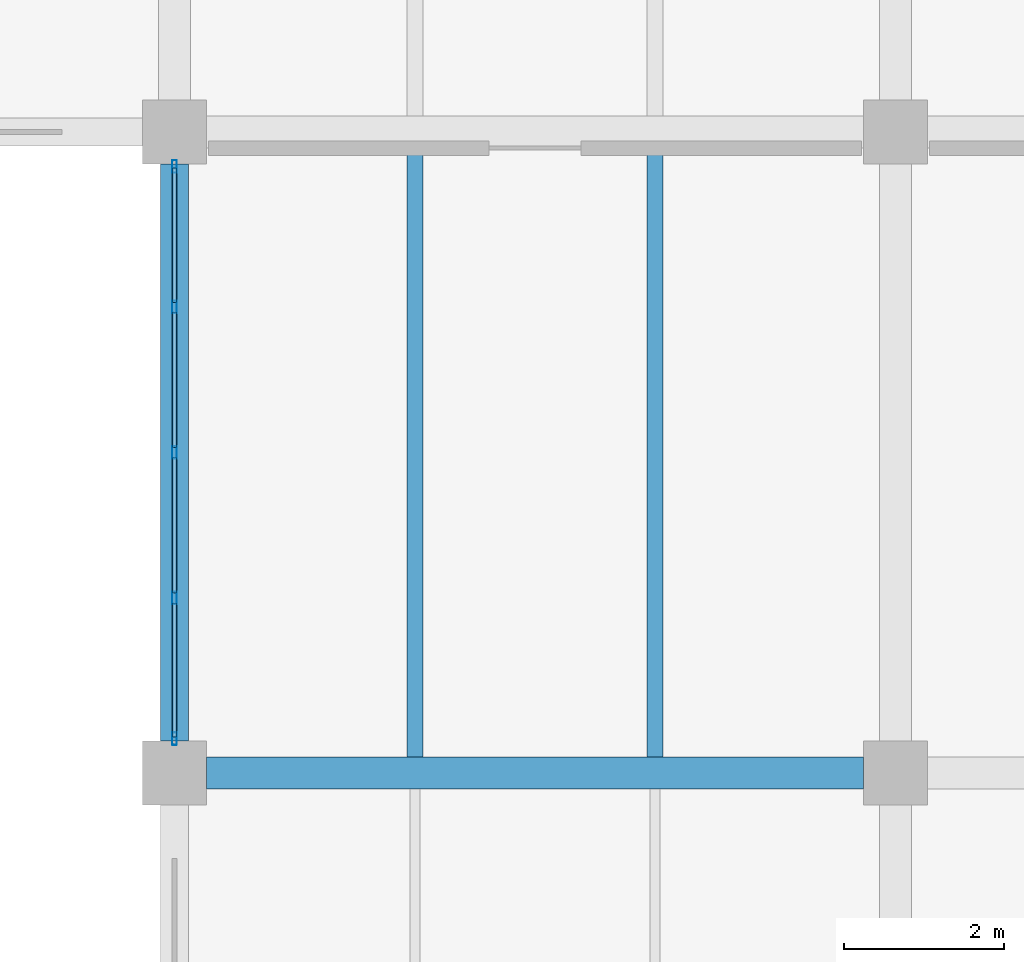
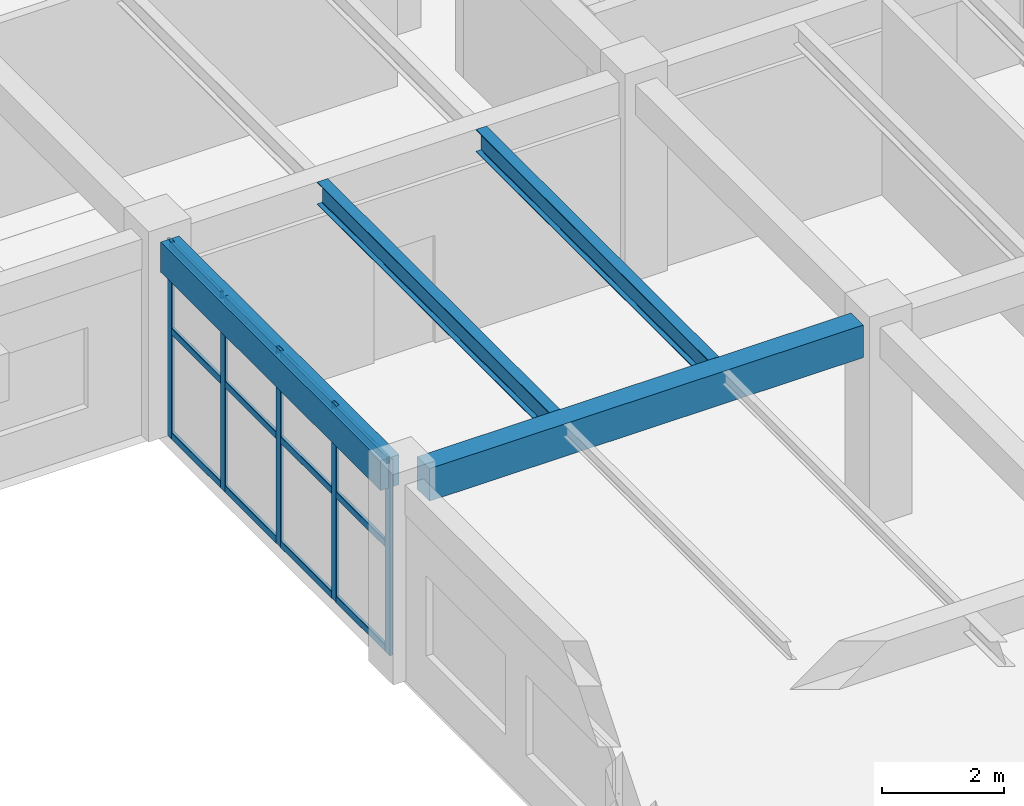
# One storey, part 104 of 148: 17 members, 4 beams, 1 element without a shape of its own.
"""IFC4 building model written with IfcOpenShell, lengths in metres."""

from ifc_helpers import new_model, si_unit, derived_unit, direction, frame, origin, origin_2d, place, context, subcontext, project, spatial, rectangle, hollow_rectangle, i_section, extrude, material, material_profile, profile_set, type_object, element, aggregate, save


model = new_model("IFC4")

# Units and contexts
model_context = context("Model", 3, precision=1e-05, world=origin(), true_north=direction((0.0, 1.0)))
body_context = subcontext(model_context, "Body", "Model", "MODEL_VIEW")
ifc_project = project(units=[si_unit("LENGTHUNIT", "METRE"), si_unit("AREAUNIT", "SQUARE_METRE"), si_unit("VOLUMEUNIT", "CUBIC_METRE"), si_unit("PLANEANGLEUNIT", "RADIAN"), si_unit("MASSUNIT", "GRAM", prefix="KILO"), derived_unit("THERMALTRANSMITTANCEUNIT", [(si_unit("MASSUNIT", "GRAM", prefix="KILO"), 1), (si_unit("TIMEUNIT", "SECOND"), -3), (si_unit("THERMODYNAMICTEMPERATUREUNIT", "KELVIN"), -1)])], contexts=[model_context])

# Site, building, storey
site_placement = place(None, origin())
site = spatial("IfcSite", under=ifc_project, at=site_placement, CompositionType="ELEMENT")
building_placement = place(site_placement, origin())
building = spatial("IfcBuilding", under=site, at=building_placement, Name="Zhenchuan Archway Interchange", CompositionType="ELEMENT")
storey_placement = place(building_placement, frame((0.0, 0.0, 10.199951171875)))
storey = spatial("IfcBuildingStorey", under=building, at=storey_placement, Name="L02", CompositionType="ELEMENT", Elevation=10.199951171875)

# Beam
ifc_material_1 = material(Name="Concrete C40", Category="concrete")
ifc_material_profile_1 = material_profile(ifc_material_1, rectangle(XDim=0.39990234375, YDim=0.64990234375, at=origin_2d()), Name="RC 400x650")
ifc_profile_set_1 = profile_set([ifc_material_profile_1], Name="Concrete C40")
beam_type_1 = type_object("IfcBeamType", Name="BM_RC_400x650", PredefinedType="BEAM", material=ifc_profile_set_1)
beam_1_placement = place(storey_placement, frame((144.39990234375, 80.0, 3.594970703125), z_axis=(1.0, 0.0, 0.0), x_axis=(0.0, 1.0, 0.0)))
element("IfcBeam", 1, at=beam_1_placement, inside=storey, type_object=beam_type_1, Name="Beam L:17-18 (L02)", PredefinedType="BEAM", context=body_context, shape_type="SweptSolid", body=[
    extrude(rectangle(XDim=0.39990234375, YDim=0.64990234375, at=origin_2d()), origin(), (0.0, 0.0, 1.0), 8.2001953125),
])

# Curtain wall, members
ifc_material_2 = material(Name="Anodised Aluminium", Category="aluminium")
curtain_wall_type = type_object("IfcCurtainWallType", Name="CW_UNIT_1", PredefinedType="NOTDEFINED", material=ifc_material_2)
curtain_wall_placement = place(storey_placement, origin())
curtain_wall = element("IfcCurtainWall", 2, at=curtain_wall_placement, inside=storey, type_object=curtain_wall_type, Name="Unitised curtain wall CW:L02:144", PredefinedType="NOTDEFINED")
ifc_material_profile_2 = material_profile(ifc_material_2, hollow_rectangle(XDim=0.06005859375, YDim=0.159912109375, WallThickness=0.00390625, InnerFilletRadius=0.00390625, OuterFilletRadius=0.008056640625, at=origin_2d()), Name="ALU 160x60x4")
ifc_profile_set_2 = profile_set([ifc_material_profile_2], Name="Anodised Aluminium")
member_type_1 = type_object("IfcMemberType", Name="CW_MUL_150", PredefinedType="MULLION", material=ifc_profile_set_2)
member_1_placement = place(storey_placement, frame((144.0, 80.427978515625, 0.0), z_axis=(0.0, 0.0, 1.0), x_axis=(1.0, 0.0, 0.0)))
member_1 = element("IfcMember", 3, at=member_1_placement, type_object=member_type_1, Name="CW:L02:144 mullion 0", PredefinedType="MULLION", context=body_context, shape_type="SweptSolid", body=[
    extrude(hollow_rectangle(XDim=0.06005859375, YDim=0.159912109375, WallThickness=0.00390625, InnerFilletRadius=0.00390625, OuterFilletRadius=0.008056640625, at=origin_2d()), origin(), (0.0, 0.0, 1.0), 3.920166015625),
])
member_2_placement = place(storey_placement, frame((144.0, 82.18408203125, 0.0), z_axis=(0.0, 0.0, 1.0), x_axis=(1.0, 0.0, 0.0)))
member_2 = element("IfcMember", 4, at=member_2_placement, type_object=member_type_1, Name="CW:L02:144 mullion 1", PredefinedType="MULLION", context=body_context, shape_type="SweptSolid", body=[
    extrude(hollow_rectangle(XDim=0.06005859375, YDim=0.159912109375, WallThickness=0.00390625, InnerFilletRadius=0.00390625, OuterFilletRadius=0.008056640625, at=origin_2d()), origin(), (0.0, 0.0, 1.0), 3.920166015625),
])
member_3_placement = place(storey_placement, frame((144.0, 84.0, 0.0), z_axis=(0.0, 0.0, 1.0), x_axis=(1.0, 0.0, 0.0)))
member_3 = element("IfcMember", 5, at=member_3_placement, type_object=member_type_1, Name="CW:L02:144 mullion 2", PredefinedType="MULLION", context=body_context, shape_type="SweptSolid", body=[
    extrude(hollow_rectangle(XDim=0.06005859375, YDim=0.159912109375, WallThickness=0.00390625, InnerFilletRadius=0.00390625, OuterFilletRadius=0.008056640625, at=origin_2d()), origin(), (0.0, 0.0, 1.0), 3.920166015625),
])
member_4_placement = place(storey_placement, frame((144.0, 85.81591796875, 0.0), z_axis=(0.0, 0.0, 1.0), x_axis=(1.0, 0.0, 0.0)))
member_4 = element("IfcMember", 6, at=member_4_placement, type_object=member_type_1, Name="CW:L02:144 mullion 3", PredefinedType="MULLION", context=body_context, shape_type="SweptSolid", body=[
    extrude(hollow_rectangle(XDim=0.06005859375, YDim=0.159912109375, WallThickness=0.00390625, InnerFilletRadius=0.00390625, OuterFilletRadius=0.008056640625, at=origin_2d()), origin(), (0.0, 0.0, 1.0), 3.920166015625),
])
member_5_placement = place(storey_placement, frame((144.0, 87.572021484375, 0.0), z_axis=(0.0, 0.0, 1.0), x_axis=(1.0, 0.0, 0.0)))
member_5 = element("IfcMember", 7, at=member_5_placement, type_object=member_type_1, Name="CW:L02:144 mullion 4", PredefinedType="MULLION", context=body_context, shape_type="SweptSolid", body=[
    extrude(hollow_rectangle(XDim=0.06005859375, YDim=0.159912109375, WallThickness=0.00390625, InnerFilletRadius=0.00390625, OuterFilletRadius=0.008056640625, at=origin_2d()), origin(), (0.0, 0.0, 1.0), 3.920166015625),
])
ifc_material_profile_3 = material_profile(ifc_material_2, hollow_rectangle(XDim=0.06005859375, YDim=0.139892578125, WallThickness=0.00341796875, InnerFilletRadius=0.00341796875, OuterFilletRadius=0.007080078125, at=origin_2d()), Name="ALU 140x60x3.5")
ifc_profile_set_3 = profile_set([ifc_material_profile_3], Name="Anodised Aluminium")
member_type_2 = type_object("IfcMemberType", Name="CW_TRN_140", PredefinedType="USERDEFINED", material=ifc_profile_set_3)
member_6_placement = place(storey_placement, frame((144.0, 80.447998046875, 0.06005859375), z_axis=(0.0, 1.0, 0.0), x_axis=(-1.0, 0.0, 0.0)))
member_6 = element("IfcMember", 8, at=member_6_placement, type_object=member_type_2, Name="CW:L02:144 transom 0-1", ObjectType="TRANSOM", PredefinedType="USERDEFINED", context=body_context, shape_type="SweptSolid", body=[
    extrude(hollow_rectangle(XDim=0.06005859375, YDim=0.139892578125, WallThickness=0.00341796875, InnerFilletRadius=0.00341796875, OuterFilletRadius=0.007080078125, at=origin_2d()), origin(), (0.0, 0.0, 1.0), 1.676025390625),
])
member_7_placement = place(storey_placement, frame((144.0, 80.447998046875, 2.14501953125), z_axis=(0.0, 1.0, 0.0), x_axis=(-1.0, 0.0, 0.0)))
member_7 = element("IfcMember", 9, at=member_7_placement, type_object=member_type_2, Name="CW:L02:144 transom 0-2", ObjectType="TRANSOM", PredefinedType="USERDEFINED", context=body_context, shape_type="SweptSolid", body=[
    extrude(hollow_rectangle(XDim=0.06005859375, YDim=0.139892578125, WallThickness=0.00341796875, InnerFilletRadius=0.00341796875, OuterFilletRadius=0.007080078125, at=origin_2d()), origin(), (0.0, 0.0, 1.0), 1.676025390625),
])
member_8_placement = place(storey_placement, frame((144.0, 80.447998046875, 3.840087890625), z_axis=(0.0, 1.0, 0.0), x_axis=(-1.0, 0.0, 0.0)))
member_8 = element("IfcMember", 10, at=member_8_placement, type_object=member_type_2, Name="CW:L02:144 transom 0-3", ObjectType="TRANSOM", PredefinedType="USERDEFINED", context=body_context, shape_type="SweptSolid", body=[
    extrude(hollow_rectangle(XDim=0.06005859375, YDim=0.139892578125, WallThickness=0.00341796875, InnerFilletRadius=0.00341796875, OuterFilletRadius=0.007080078125, at=origin_2d()), origin(), (0.0, 0.0, 1.0), 1.676025390625),
])
member_9_placement = place(storey_placement, frame((144.0, 82.243896484375, 0.06005859375), z_axis=(0.0, 1.0, 0.0), x_axis=(-1.0, 0.0, 0.0)))
member_9 = element("IfcMember", 11, at=member_9_placement, type_object=member_type_2, Name="CW:L02:144 transom 1-1", ObjectType="TRANSOM", PredefinedType="USERDEFINED", context=body_context, shape_type="SweptSolid", body=[
    extrude(hollow_rectangle(XDim=0.06005859375, YDim=0.139892578125, WallThickness=0.00341796875, InnerFilletRadius=0.00341796875, OuterFilletRadius=0.007080078125, at=origin_2d()), origin(), (0.0, 0.0, 1.0), 1.696044921875),
])
member_10_placement = place(storey_placement, frame((144.0, 82.243896484375, 2.14501953125), z_axis=(0.0, 1.0, 0.0), x_axis=(-1.0, 0.0, 0.0)))
member_10 = element("IfcMember", 12, at=member_10_placement, type_object=member_type_2, Name="CW:L02:144 transom 1-2", ObjectType="TRANSOM", PredefinedType="USERDEFINED", context=body_context, shape_type="SweptSolid", body=[
    extrude(hollow_rectangle(XDim=0.06005859375, YDim=0.139892578125, WallThickness=0.00341796875, InnerFilletRadius=0.00341796875, OuterFilletRadius=0.007080078125, at=origin_2d()), origin(), (0.0, 0.0, 1.0), 1.696044921875),
])
member_11_placement = place(storey_placement, frame((144.0, 82.243896484375, 3.840087890625), z_axis=(0.0, 1.0, 0.0), x_axis=(-1.0, 0.0, 0.0)))
member_11 = element("IfcMember", 13, at=member_11_placement, type_object=member_type_2, Name="CW:L02:144 transom 1-3", ObjectType="TRANSOM", PredefinedType="USERDEFINED", context=body_context, shape_type="SweptSolid", body=[
    extrude(hollow_rectangle(XDim=0.06005859375, YDim=0.139892578125, WallThickness=0.00341796875, InnerFilletRadius=0.00341796875, OuterFilletRadius=0.007080078125, at=origin_2d()), origin(), (0.0, 0.0, 1.0), 1.696044921875),
])
member_12_placement = place(storey_placement, frame((144.0, 84.06005859375, 0.06005859375), z_axis=(0.0, 1.0, 0.0), x_axis=(-1.0, 0.0, 0.0)))
member_12 = element("IfcMember", 14, at=member_12_placement, type_object=member_type_2, Name="CW:L02:144 transom 2-1", ObjectType="TRANSOM", PredefinedType="USERDEFINED", context=body_context, shape_type="SweptSolid", body=[
    extrude(hollow_rectangle(XDim=0.06005859375, YDim=0.139892578125, WallThickness=0.00341796875, InnerFilletRadius=0.00341796875, OuterFilletRadius=0.007080078125, at=origin_2d()), origin(), (0.0, 0.0, 1.0), 1.696044921875),
])
member_13_placement = place(storey_placement, frame((144.0, 84.06005859375, 2.14501953125), z_axis=(0.0, 1.0, 0.0), x_axis=(-1.0, 0.0, 0.0)))
member_13 = element("IfcMember", 15, at=member_13_placement, type_object=member_type_2, Name="CW:L02:144 transom 2-2", ObjectType="TRANSOM", PredefinedType="USERDEFINED", context=body_context, shape_type="SweptSolid", body=[
    extrude(hollow_rectangle(XDim=0.06005859375, YDim=0.139892578125, WallThickness=0.00341796875, InnerFilletRadius=0.00341796875, OuterFilletRadius=0.007080078125, at=origin_2d()), origin(), (0.0, 0.0, 1.0), 1.696044921875),
])
member_14_placement = place(storey_placement, frame((144.0, 84.06005859375, 3.840087890625), z_axis=(0.0, 1.0, 0.0), x_axis=(-1.0, 0.0, 0.0)))
member_14 = element("IfcMember", 16, at=member_14_placement, type_object=member_type_2, Name="CW:L02:144 transom 2-3", ObjectType="TRANSOM", PredefinedType="USERDEFINED", context=body_context, shape_type="SweptSolid", body=[
    extrude(hollow_rectangle(XDim=0.06005859375, YDim=0.139892578125, WallThickness=0.00341796875, InnerFilletRadius=0.00341796875, OuterFilletRadius=0.007080078125, at=origin_2d()), origin(), (0.0, 0.0, 1.0), 1.696044921875),
])
member_15_placement = place(storey_placement, frame((144.0, 85.8759765625, 0.06005859375), z_axis=(0.0, 1.0, 0.0), x_axis=(-1.0, 0.0, 0.0)))
member_15 = element("IfcMember", 17, at=member_15_placement, type_object=member_type_2, Name="CW:L02:144 transom 3-1", ObjectType="TRANSOM", PredefinedType="USERDEFINED", context=body_context, shape_type="SweptSolid", body=[
    extrude(hollow_rectangle(XDim=0.06005859375, YDim=0.139892578125, WallThickness=0.00341796875, InnerFilletRadius=0.00341796875, OuterFilletRadius=0.007080078125, at=origin_2d()), origin(), (0.0, 0.0, 1.0), 1.676025390625),
])
member_16_placement = place(storey_placement, frame((144.0, 85.8759765625, 2.14501953125), z_axis=(0.0, 1.0, 0.0), x_axis=(-1.0, 0.0, 0.0)))
member_16 = element("IfcMember", 18, at=member_16_placement, type_object=member_type_2, Name="CW:L02:144 transom 3-2", ObjectType="TRANSOM", PredefinedType="USERDEFINED", context=body_context, shape_type="SweptSolid", body=[
    extrude(hollow_rectangle(XDim=0.06005859375, YDim=0.139892578125, WallThickness=0.00341796875, InnerFilletRadius=0.00341796875, OuterFilletRadius=0.007080078125, at=origin_2d()), origin(), (0.0, 0.0, 1.0), 1.676025390625),
])
member_17_placement = place(storey_placement, frame((144.0, 85.8759765625, 3.840087890625), z_axis=(0.0, 1.0, 0.0), x_axis=(-1.0, 0.0, 0.0)))
member_17 = element("IfcMember", 19, at=member_17_placement, type_object=member_type_2, Name="CW:L02:144 transom 3-3", ObjectType="TRANSOM", PredefinedType="USERDEFINED", context=body_context, shape_type="SweptSolid", body=[
    extrude(hollow_rectangle(XDim=0.06005859375, YDim=0.139892578125, WallThickness=0.00341796875, InnerFilletRadius=0.00341796875, OuterFilletRadius=0.007080078125, at=origin_2d()), origin(), (0.0, 0.0, 1.0), 1.676025390625),
])
aggregate(curtain_wall, [member_1, member_2, member_3, member_4, member_5, member_6, member_7, member_8, member_9, member_10, member_11, member_12, member_13, member_14, member_15, member_16, member_17])

# Beams
ifc_material_3 = material(Name="Steel Q355", Category="steel")
ifc_material_profile_4 = material_profile(ifc_material_3, i_section(OverallWidth=0.199951171875, OverallDepth=0.449951171875, WebThickness=0.009033203125, FlangeThickness=0.013916015625, FilletRadius=0.01806640625, at=origin_2d()), Name="HN 450x200")
ifc_profile_set_4 = profile_set([ifc_material_profile_4], Name="Steel Q355")
beam_type_2 = type_object("IfcBeamType", Name="JST_STL_HN450", PredefinedType="JOIST", material=ifc_profile_set_4)
for number, where, z_axis, x_axis, name in (
    (20, (147.0, 80.199951171875, 3.695068359375), (0.0, 1.0, 0.0), (-1.0, 0.0, 0.0), "Secondary joist 17-18/L-M #1 (L02)"),
    (21, (150.0, 80.199951171875, 3.695068359375), (0.0, 1.0, 0.0), (-1.0, 0.0, 0.0), "Secondary joist 17-18/L-M #2 (L02)"),
):
    element("IfcBeam", number, at=place(storey_placement, frame(where, z_axis=z_axis, x_axis=x_axis)), inside=storey, type_object=beam_type_2, Name=name, PredefinedType="JOIST", context=body_context, shape_type="SweptSolid", body=[
        extrude(i_section(OverallWidth=0.199951171875, OverallDepth=0.449951171875, WebThickness=0.009033203125, FlangeThickness=0.013916015625, FilletRadius=0.01806640625, at=origin_2d()), origin(), (0.0, 0.0, 1.0), 7.60009765625),
    ])
ifc_material_profile_5 = material_profile(ifc_material_1, rectangle(XDim=0.35009765625, YDim=0.60009765625, at=origin_2d()), Name="RC 350x600")
ifc_profile_set_5 = profile_set([ifc_material_profile_5], Name="Concrete C40")
beam_type_3 = type_object("IfcBeamType", Name="SP_RC_350x600", PredefinedType="SPANDREL", material=ifc_profile_set_5)
beam_2_placement = place(storey_placement, frame((144.0, 80.39990234375, 3.6201171875), z_axis=(0.0, 1.0, 0.0), x_axis=(-1.0, 0.0, 0.0)))
element("IfcBeam", 22, at=beam_2_placement, inside=storey, type_object=beam_type_3, Name="Beam 17:L-M (L02)", PredefinedType="SPANDREL", context=body_context, shape_type="SweptSolid", body=[
    extrude(rectangle(XDim=0.35009765625, YDim=0.60009765625, at=origin_2d()), origin(), (0.0, 0.0, 1.0), 7.2001953125),
])

save(model, "model.ifc")
